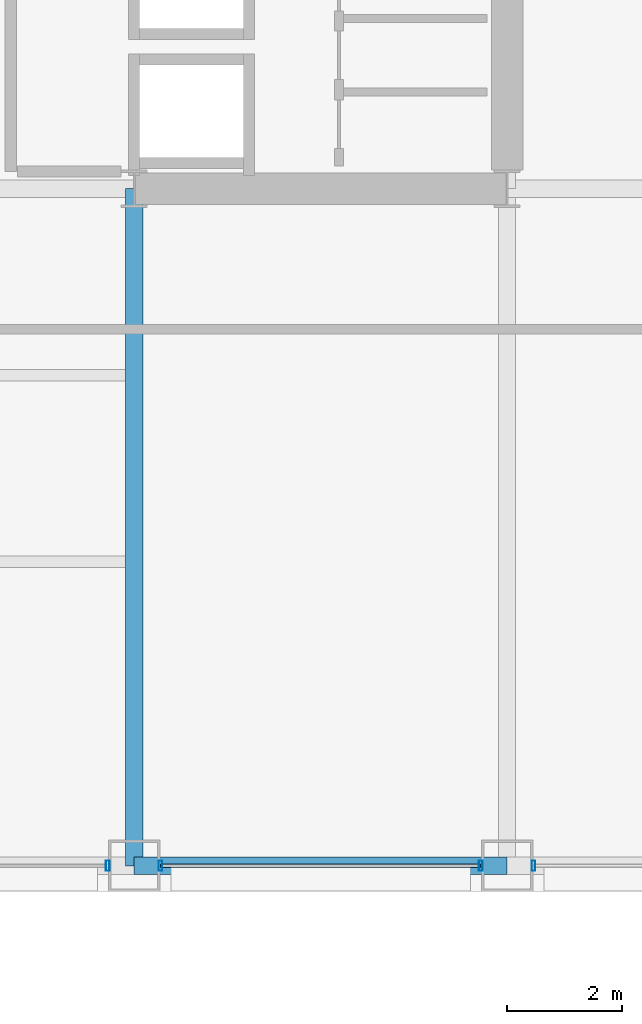
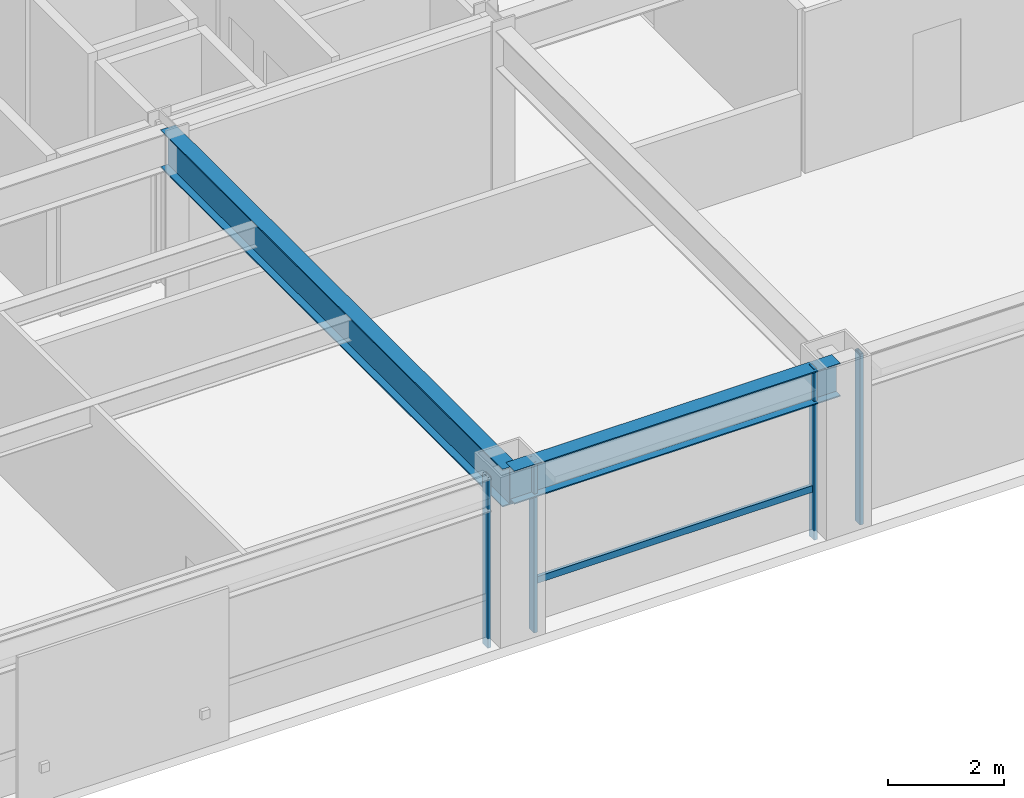
# One storey, part 10 of 29: 5 members, 2 beams, 3 elements without a shape of their own.
"""IFC4 building model written with IfcOpenShell, lengths in metres."""

from ifc_helpers import new_model, si_unit, direction, frame, origin, origin_2d, place, context, subcontext, project, spatial, hollow_rectangle, i_section, extrude, material, layer, layer_set, material_profile, profile_set, type_object, element, aggregate, save


model = new_model("IFC4")

# Units and contexts
model_context = context("Model", 3, precision=1e-05, world=origin(), true_north=direction((0.0, 1.0)))
body_context = subcontext(model_context, "Body", "Model", "MODEL_VIEW")
ifc_project = project(units=[si_unit("LENGTHUNIT", "METRE"), si_unit("AREAUNIT", "SQUARE_METRE"), si_unit("VOLUMEUNIT", "CUBIC_METRE"), si_unit("PLANEANGLEUNIT", "RADIAN"), si_unit("MASSUNIT", "GRAM", prefix="KILO")], contexts=[model_context])

# Site, building, storey
site_placement = place(None, origin())
site = spatial("IfcSite", under=ifc_project, at=site_placement, CompositionType="ELEMENT")
building_placement = place(site_placement, origin())
building = spatial("IfcBuilding", under=site, at=building_placement, Name="Brelmoor Portico Tower", CompositionType="ELEMENT")
storey_placement = place(building_placement, frame((0.0, 0.0, 52.800048828125)))
storey = spatial("IfcBuildingStorey", under=building, at=storey_placement, Name="L13", CompositionType="ELEMENT", Elevation=52.800048828125)

# Beams
ifc_material_1 = material(Name="Steel Q355B", Category="steel")
ifc_material_profile_1 = material_profile(ifc_material_1, i_section(OverallWidth=0.300048828125, OverallDepth=0.800048828125, WebThickness=0.013916015625, FlangeThickness=0.02587890625, at=origin_2d()), Name="HN 800x300x14x26")
ifc_profile_set_1 = profile_set([ifc_material_profile_1], Name="Steel Q355B")
beam_type_1 = type_object("IfcBeamType", Name="BM-PG-800", PredefinedType="BEAM", material=ifc_profile_set_1)
beam_1_placement = place(storey_placement, frame((8.050048828125, -21.550048828125, 3.0), z_axis=(0.0, 1.0, 0.0), x_axis=(-1.0, 0.0, 0.0)))
element("IfcBeam", 1, at=beam_1_placement, inside=storey, type_object=beam_type_1, Name="L13 Primary Floor Girder PG-09", PredefinedType="BEAM", context=body_context, shape_type="SweptSolid", body=[
    extrude(i_section(OverallWidth=0.300048828125, OverallDepth=0.800048828125, WebThickness=0.013916015625, FlangeThickness=0.02587890625, at=origin_2d()), origin(), (0.0, 0.0, 1.0), 11.800048828125),
])
ifc_material_profile_2 = material_profile(ifc_material_1, i_section(OverallWidth=0.300048828125, OverallDepth=0.699951171875, WebThickness=0.012939453125, FlangeThickness=0.02392578125, at=origin_2d()), Name="HN 700x300x13x24")
ifc_profile_set_2 = profile_set([ifc_material_profile_2], Name="Steel Q355B")
beam_type_2 = type_object("IfcBeamType", Name="BM-SP-700", PredefinedType="SPANDREL", material=ifc_profile_set_2)
beam_2_placement = place(storey_placement, frame((8.050048828125, -21.550048828125, 3.050048828125), z_axis=(1.0, 0.0, 0.0), x_axis=(0.0, 1.0, 0.0)))
element("IfcBeam", 2, at=beam_2_placement, inside=storey, type_object=beam_type_2, Name="L13 Perimeter Spandrel Beam SP-04", PredefinedType="SPANDREL", context=body_context, shape_type="SweptSolid", body=[
    extrude(i_section(OverallWidth=0.300048828125, OverallDepth=0.699951171875, WebThickness=0.012939453125, FlangeThickness=0.02392578125, at=origin_2d()), origin(), (0.0, 0.0, 1.0), 6.5),
])

# Curtain wall, member
ifc_material_2 = material(Name="Anodised Aluminium Alloy 6063-T6", Category="aluminium")
ifc_layer_1 = layer(ifc_material_2, 0.179931640625)
ifc_layer_set_1 = layer_set([ifc_layer_1], Name="Anodised Aluminium Alloy 6063-T6")
curtain_wall_type_1 = type_object("IfcCurtainWallType", Name="CW-TOWER-Z1", PredefinedType="NOTDEFINED", material=ifc_layer_set_1)
curtain_wall_1_placement = place(storey_placement, origin())
curtain_wall_1 = element("IfcCurtainWall", 3, at=curtain_wall_1_placement, inside=storey, type_object=curtain_wall_type_1, Name="L13 Curtain Wall CW-L13-01-3", PredefinedType="NOTDEFINED")
ifc_material_profile_3 = material_profile(ifc_material_2, hollow_rectangle(XDim=0.06494140625, YDim=0.179931640625, WallThickness=0.00390625, at=origin_2d()), Name="ALU MULLION 65x180")
ifc_profile_set_3 = profile_set([ifc_material_profile_3], Name="Anodised Aluminium Alloy 6063-T6")
member_type_1 = type_object("IfcMemberType", Name="MB-CW-MULL-180", PredefinedType="MULLION", material=ifc_profile_set_3)
member_1_placement = place(storey_placement, frame((7.590087890625, -21.550048828125, -0.199951171875), z_axis=(0.0, 0.0, 1.0), x_axis=(1.0, 0.0, 0.0)))
member_1 = element("IfcMember", 4, at=member_1_placement, type_object=member_type_1, Name="CW-L13-01-3 Mullion 01", PredefinedType="MULLION", context=body_context, shape_type="SweptSolid", body=[
    extrude(hollow_rectangle(XDim=0.06494140625, YDim=0.179931640625, WallThickness=0.00390625, at=origin_2d()), origin(), (0.0, 0.0, 1.0), 3.599853515625),
])
aggregate(curtain_wall_1, [member_1])

# Curtain wall, members
curtain_wall_2_placement = place(storey_placement, origin())
curtain_wall_2 = element("IfcCurtainWall", 5, at=curtain_wall_2_placement, inside=storey, type_object=curtain_wall_type_1, Name="L13 Curtain Wall CW-L13-01-4", PredefinedType="NOTDEFINED")
member_2_placement = place(storey_placement, frame((8.510009765625, -21.550048828125, -0.199951171875), z_axis=(0.0, 0.0, 1.0), x_axis=(1.0, 0.0, 0.0)))
member_2 = element("IfcMember", 6, at=member_2_placement, type_object=member_type_1, Name="CW-L13-01-4 Mullion 00", PredefinedType="MULLION", context=body_context, shape_type="SweptSolid", body=[
    extrude(hollow_rectangle(XDim=0.06494140625, YDim=0.179931640625, WallThickness=0.00390625, at=origin_2d()), origin(), (0.0, 0.0, 1.0), 3.599853515625),
])
member_3_placement = place(storey_placement, frame((14.090087890625, -21.550048828125, -0.199951171875), z_axis=(0.0, 0.0, 1.0), x_axis=(1.0, 0.0, 0.0)))
member_3 = element("IfcMember", 7, at=member_3_placement, type_object=member_type_1, Name="CW-L13-01-4 Mullion 01", PredefinedType="MULLION", context=body_context, shape_type="SweptSolid", body=[
    extrude(hollow_rectangle(XDim=0.06494140625, YDim=0.179931640625, WallThickness=0.00390625, at=origin_2d()), origin(), (0.0, 0.0, 1.0), 3.599853515625),
])

# Curtain wall, member
ifc_layer_2 = layer(ifc_material_2, 0.179931640625)
ifc_layer_set_2 = layer_set([ifc_layer_2], Name="Anodised Aluminium Alloy 6063-T6")
curtain_wall_type_2 = type_object("IfcCurtainWallType", Name="CW-TOWER-Z1-XB", PredefinedType="NOTDEFINED", material=ifc_layer_set_2)
curtain_wall_3_placement = place(storey_placement, origin())
curtain_wall_3 = element("IfcCurtainWall", 8, at=curtain_wall_3_placement, inside=storey, type_object=curtain_wall_type_2, Name="L13 Curtain Wall CW-L13-01-5", PredefinedType="NOTDEFINED")
member_4_placement = place(storey_placement, frame((15.010009765625, -21.550048828125, -0.199951171875), z_axis=(0.0, 0.0, 1.0), x_axis=(1.0, 0.0, 0.0)))
member_4 = element("IfcMember", 9, at=member_4_placement, type_object=member_type_1, Name="CW-L13-01-5 Mullion 00", PredefinedType="MULLION", context=body_context, shape_type="SweptSolid", body=[
    extrude(hollow_rectangle(XDim=0.06494140625, YDim=0.179931640625, WallThickness=0.00390625, at=origin_2d()), origin(), (0.0, 0.0, 1.0), 3.599853515625),
])
aggregate(curtain_wall_3, [member_4])

# Member
ifc_material_profile_4 = material_profile(ifc_material_2, hollow_rectangle(XDim=0.06494140625, YDim=0.139892578125, WallThickness=0.00390625, at=origin_2d()), Name="ALU TRANSOM 65x140")
ifc_profile_set_4 = profile_set([ifc_material_profile_4], Name="Anodised Aluminium Alloy 6063-T6")
member_type_2 = type_object("IfcMemberType", Name="MB-CW-TRAN-140", PredefinedType="USERDEFINED", material=ifc_profile_set_4)
member_5_placement = place(storey_placement, frame((8.510009765625, -21.550048828125, 0.849853515625), z_axis=(1.0, 0.0, 0.0), x_axis=(0.0, 1.0, 0.0)))
member_5 = element("IfcMember", 10, at=member_5_placement, type_object=member_type_2, Name="CW-L13-01-4 Transom 1-00", ObjectType="TRANSOM", PredefinedType="USERDEFINED", context=body_context, shape_type="SweptSolid", body=[
    extrude(hollow_rectangle(XDim=0.06494140625, YDim=0.139892578125, WallThickness=0.00390625, at=origin_2d()), origin(), (0.0, 0.0, 1.0), 5.580078125),
])

aggregate(curtain_wall_2, [member_2, member_3, member_5])

save(model, "model.ifc")
